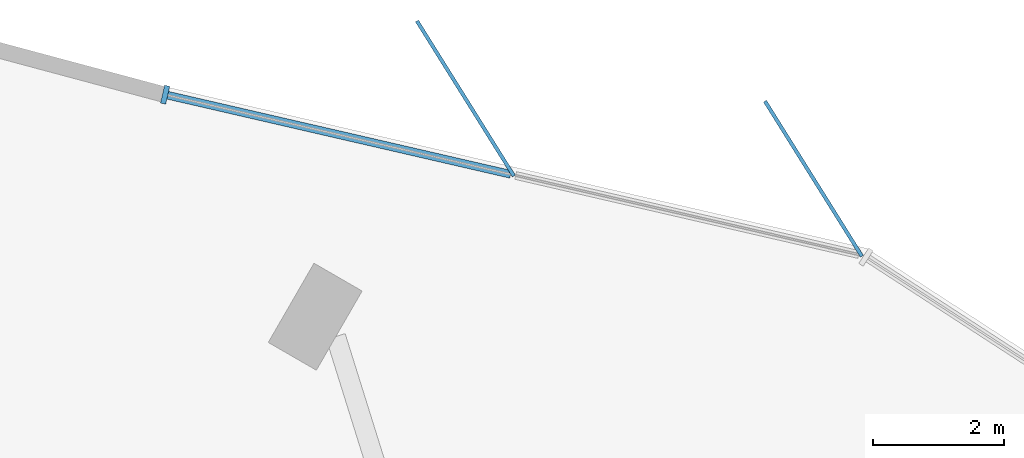
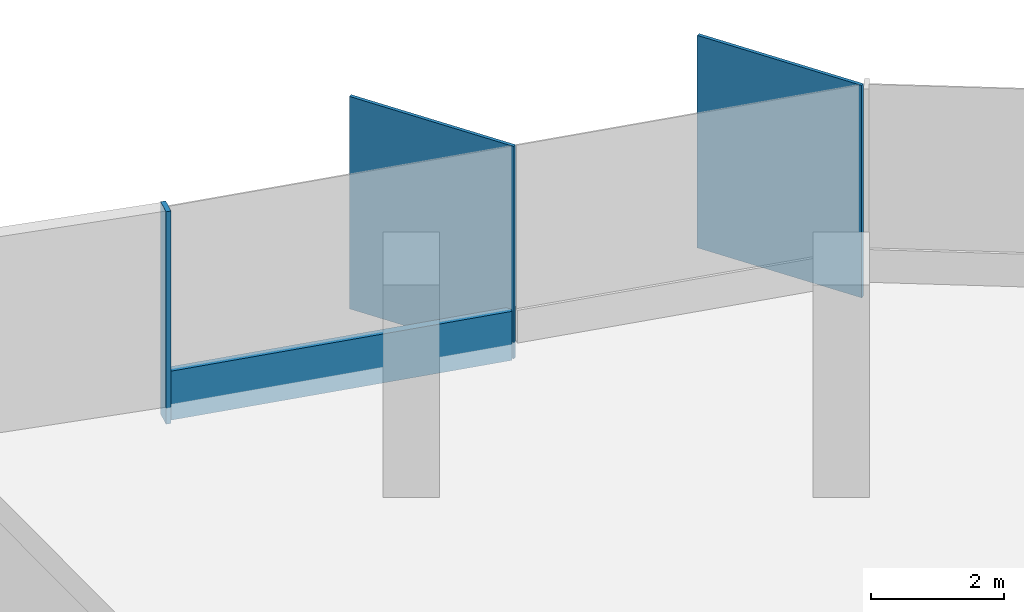
# One storey, part 6 of 13: 4 members, 1 element without a shape of its own.
"""IFC4 building model written with IfcOpenShell, lengths in metres."""

import ifcopenshell
import ifcopenshell.guid

model = None  # the IFC model being written
_history = None  # IfcOwnerHistory: only IFC2X3 demands one
_inside = {}  # id of a spatial element -> (the spatial element, [elements in it])
_under = {}  # id of a project, library or spatial element -> (it, [spatial elements below it])
_declared = {}  # id of a project -> (the project, [libraries it declares])
_typed = {}  # id of a type object -> (the type object, [elements of that type])
_made_of = {}  # id of a material, layer set ... -> (it, [elements and type objects made of it])


def new_model(schema):
    """Start an empty IFC model of exactly this schema.

    Asked for "IFC4X3", IfcOpenShell would pick the latest addendum, in which some entities
    have other attributes; the version numbers below select the first issue.
    IFC2X3 requires an IfcOwnerHistory on every rooted entity: one is made here for all.
    """
    global model, _history
    if schema == "IFC4X3":
        model = ifcopenshell.file(schema_version=(4, 3, 0, 0))
    else:
        model = ifcopenshell.file(schema=schema)
    _inside.clear()
    _under.clear()
    _declared.clear()
    _typed.clear()
    _made_of.clear()
    _history = None
    if model.schema == "IFC2X3":
        org = make("IfcOrganization", Name="unknown")
        user = make(
            "IfcPersonAndOrganization",
            ThePerson=make("IfcPerson", FamilyName="unknown"),
            TheOrganization=org,
        )
        app = make(
            "IfcApplication",
            ApplicationDeveloper=org,
            Version="unknown",
            ApplicationFullName="unknown",
            ApplicationIdentifier="unknown",
        )
        _history = make(
            "IfcOwnerHistory",
            OwningUser=user,
            OwningApplication=app,
            ChangeAction="ADDED",
            CreationDate=0,
        )
    return model


def make(cls, **values):
    """One entity of the class cls with the attributes given. An attribute that is None is left unset."""
    return model.create_entity(
        cls, **{name: value for name, value in values.items() if value is not None}
    )


def rooted(cls, **values):
    """An entity with a GlobalId (a new one), such as an element, a storey or a relation."""
    return make(cls, GlobalId=ifcopenshell.guid.new(), OwnerHistory=_history, **values)


def si_unit(unit_type, name, prefix=None):
    """IfcSIUnit, for example si_unit("LENGTHUNIT", "METRE", prefix="MILLI")."""
    return make("IfcSIUnit", UnitType=unit_type, Prefix=prefix, Name=name)


def assignment(units):
    """IfcUnitAssignment: the units of a project."""
    return None if units is None else make("IfcUnitAssignment", Units=units)


def point(xyz):
    """IfcCartesianPoint."""
    return None if xyz is None else make("IfcCartesianPoint", Coordinates=xyz)


def direction(xyz):
    """IfcDirection."""
    return None if xyz is None else make("IfcDirection", DirectionRatios=xyz)


def frame(location, z_axis=None, x_axis=None):
    """IfcAxis2Placement3D, a coordinate frame: its origin and axes. An axis left out is left unset."""
    return make(
        "IfcAxis2Placement3D",
        Location=point(location),
        Axis=direction(z_axis),
        RefDirection=direction(x_axis),
    )


def frame_2d(location, x_axis=None):
    """IfcAxis2Placement2D, a coordinate frame in the plane: its origin and x axis."""
    return make(
        "IfcAxis2Placement2D", Location=point(location), RefDirection=direction(x_axis)
    )


def origin():
    """The frame at (0, 0, 0) with its axes left unset."""
    return frame((0.0, 0.0, 0.0))


def origin_2d():
    """The frame at (0, 0) in the plane with its x axis left unset."""
    return frame_2d((0.0, 0.0))


def place(relative_to, where):
    """IfcLocalPlacement: puts the frame where relative to a parent placement (None: the world)."""
    return make(
        "IfcLocalPlacement", PlacementRelTo=relative_to, RelativePlacement=where
    )


def context(
    kind, dimensions, precision=None, world=None, true_north=None, identifier=None
):
    """IfcGeometricRepresentationContext, for example the 3D "Model" context."""
    return make(
        "IfcGeometricRepresentationContext",
        ContextIdentifier=identifier,
        ContextType=kind,
        CoordinateSpaceDimension=dimensions,
        Precision=precision,
        WorldCoordinateSystem=world,
        TrueNorth=true_north,
    )


def subcontext(parent, identifier, kind, view, scale=None):
    """IfcGeometricRepresentationSubContext, for example "Body" below "Model"."""
    return make(
        "IfcGeometricRepresentationSubContext",
        ContextIdentifier=identifier,
        ContextType=kind,
        ParentContext=parent,
        TargetScale=scale,
        TargetView=view,
    )


def project(units=None, contexts=None):
    """IfcProject with its units and contexts."""
    return rooted(
        "IfcProject",
        Name="project",
        RepresentationContexts=contexts,
        UnitsInContext=assignment(units),
    )


def spatial(cls, under=None, at=None, **own):
    """A site, building, storey or space (cls), placed at a placement, below another one or the project."""
    s = rooted(cls, ObjectPlacement=at, **own)
    if under is not None:
        _under.setdefault(under.id(), (under, []))[1].append(s)
    return s


def profile(cls, at=None, kind="AREA", **sizes):
    """A parametric profile (cls). Its sizes go by their IFC names, for example OverallWidth=200.0."""
    return make(cls, ProfileType=kind, Position=at, **sizes)


def rectangle(**sizes):
    """IfcRectangleProfileDef."""
    return profile("IfcRectangleProfileDef", **sizes)


def extrude(swept, where, along, depth):
    """IfcExtrudedAreaSolid: the profile swept, set in the frame where, extruded along a direction by depth."""
    return make(
        "IfcExtrudedAreaSolid",
        SweptArea=swept,
        Position=where,
        ExtrudedDirection=direction(along),
        Depth=depth,
    )


def shape(context_of_items, identifier, shape_type, items):
    """IfcShapeRepresentation: the items that make up one representation, for example the "Body"."""
    return make(
        "IfcShapeRepresentation",
        ContextOfItems=context_of_items,
        RepresentationIdentifier=identifier,
        RepresentationType=shape_type,
        Items=items,
    )


def material(Name=None, Category=None):
    """IfcMaterial."""
    return make("IfcMaterial", Name=Name, Category=Category)


def material_profile(
    of_material, cross_section, Name=None, Category=None, Priority=None
):
    """IfcMaterialProfile: a cross section and its material."""
    return make(
        "IfcMaterialProfile",
        Name=Name,
        Material=of_material,
        Profile=cross_section,
        Priority=Priority,
        Category=Category,
    )


def profile_set(profiles, Name=None, composite=None):
    """IfcMaterialProfileSet."""
    return make(
        "IfcMaterialProfileSet",
        Name=Name,
        MaterialProfiles=profiles,
        CompositeProfile=composite,
    )


def made_of(thing, what):
    """Note that an element or type object is made of a material, layer set ...; save() writes the relation."""
    if what is not None:
        _made_of.setdefault(what.id(), (what, []))[1].append(thing)
    return thing


def type_object(cls, material=None, **own):
    """A type object (cls), such as IfcWallType, which elements share."""
    return made_of(rooted(cls, **own), material)


def element(
    cls,
    number,
    at=None,
    inside=None,
    cuts=None,
    type_object=None,
    material=None,
    context=None,
    identifier="Body",
    shape_type=None,
    held_by="IfcProductDefinitionShape",
    body=None,
    shapes=None,
    **own,
):
    """One element of the class cls, such as IfcWall. Its Tag is "e" and its number.

    at: its placement. inside: the storey or other place that contains it. cuts: it is an
    opening in that element (IfcRelVoidsElement). A single representation is given by context,
    identifier, shape_type and body (its items); several are given by shapes. held_by: the class
    of the entity that holds the representations. save() writes the other relations.
    """
    e = rooted(cls, Tag="e%d" % number, ObjectPlacement=at, **own)
    if body is not None:
        shapes = [shape(context, identifier, shape_type, body)]
    if shapes is not None:
        e.Representation = make(held_by, Representations=shapes)
    if inside is not None:
        _inside.setdefault(inside.id(), (inside, []))[1].append(e)
    if cuts is not None:
        rooted(
            "IfcRelVoidsElement", RelatingBuildingElement=cuts, RelatedOpeningElement=e
        )
    if type_object is not None:
        _typed.setdefault(type_object.id(), (type_object, []))[1].append(e)
    return made_of(e, material)


def aggregate(whole, parts):
    """IfcRelAggregates: a whole, such as a stair, and the parts it consists of."""
    return rooted("IfcRelAggregates", RelatingObject=whole, RelatedObjects=parts)


def save(model, path):
    """Write the relations noted so far, then the file.

    IfcRelAggregates (storeys below a building ...), IfcRelContainedInSpatialStructure (elements
    in a storey), IfcRelDefinesByType, IfcRelAssociatesMaterial and IfcRelDeclares: one each for
    every whole, place, type object, material and project.
    """
    for whole, parts in _under.values():
        aggregate(whole, parts)
    for where, things in _inside.values():
        rooted(
            "IfcRelContainedInSpatialStructure",
            RelatedElements=things,
            RelatingStructure=where,
        )
    for kind, things in _typed.values():
        rooted("IfcRelDefinesByType", RelatedObjects=things, RelatingType=kind)
    for what, things in _made_of.values():
        rooted("IfcRelAssociatesMaterial", RelatedObjects=things, RelatingMaterial=what)
    for by, libraries in _declared.values():
        rooted("IfcRelDeclares", RelatingContext=by, RelatedDefinitions=libraries)
    model.write(path)


model = new_model("IFC4")

# Units and contexts
model_context = context("Model", 3, precision=1e-05, world=origin(), true_north=direction((0.0, 1.0)))
body_context = subcontext(model_context, "Body", "Model", "MODEL_VIEW")
ifc_project = project(units=[si_unit("LENGTHUNIT", "METRE"), si_unit("AREAUNIT", "SQUARE_METRE"), si_unit("VOLUMEUNIT", "CUBIC_METRE"), si_unit("PLANEANGLEUNIT", "RADIAN"), si_unit("MASSUNIT", "GRAM", prefix="KILO")], contexts=[model_context])

# Site, building, storey
site_placement = place(None, origin())
site = spatial("IfcSite", under=ifc_project, at=site_placement, CompositionType="ELEMENT")
building_placement = place(site_placement, origin())
building = spatial("IfcBuilding", under=site, at=building_placement, Name="Tanit Gate Tower", CompositionType="ELEMENT")
storey_placement = place(building_placement, frame((0.0, 0.0, 310.39990234375)))
storey = spatial("IfcBuildingStorey", under=building, at=storey_placement, Name="L69", CompositionType="ELEMENT", Elevation=310.39990234375)

# Curtain wall, members
ifc_material_1 = material(Name="Aluminium bronze anodised and glass", Category="aluminium")
curtain_wall_type = type_object("IfcCurtainWallType", Name="Curtain wall typical high", PredefinedType="NOTDEFINED", material=ifc_material_1)
curtain_wall_placement = place(storey_placement, origin())
curtain_wall = element("IfcCurtainWall", 1, at=curtain_wall_placement, inside=storey, type_object=curtain_wall_type, Name="Curtain wall L69 NE3", PredefinedType="NOTDEFINED")
ifc_material_2 = material(Name="Aluminium bronze anodised", Category="aluminium")
ifc_material_profile_1 = material_profile(ifc_material_2, rectangle(XDim=2.800048828125, YDim=0.055908203125, at=origin_2d()), Name="56x2800 bronze fin mullion")
ifc_profile_set_1 = profile_set([ifc_material_profile_1], Name="Aluminium bronze anodised")
member_type_1 = type_object("IfcMemberType", Name="FIN MULLION 56x2800 bronze", PredefinedType="MULLION", material=ifc_profile_set_1)
member_1_placement = place(storey_placement, frame((-1.688232421875, 31.22216796875, -0.2998046875), z_axis=(0.0, 0.0, 1.0), x_axis=(0.530209551206, -0.847866635628, 0.0)))
member_1 = element("IfcMember", 2, at=member_1_placement, type_object=member_type_1, Name="Fin mullion L69 NE3.1", PredefinedType="MULLION", context=body_context, shape_type="SweptSolid", body=[
    extrude(rectangle(XDim=2.800048828125, YDim=0.055908203125, at=origin_2d()), origin(), (0.0, 0.0, 1.0), 3.89990234375),
])
member_2_placement = place(storey_placement, frame((-7.017578125, 32.45068359375, -0.2998046875), z_axis=(0.0, 0.0, 1.0), x_axis=(0.530209551206, -0.847866635628, 0.0)))
member_2 = element("IfcMember", 3, at=member_2_placement, type_object=member_type_1, Name="Fin mullion L69 NE3.2", PredefinedType="MULLION", context=body_context, shape_type="SweptSolid", body=[
    extrude(rectangle(XDim=2.800048828125, YDim=0.055908203125, at=origin_2d()), origin(), (0.0, 0.0, 1.0), 3.89990234375),
])
ifc_material_3 = material(Name="Aluminium bronze anodised", Category="aluminium")
ifc_material_profile_2 = material_profile(ifc_material_3, rectangle(XDim=0.280029296875, YDim=0.080078125, at=origin_2d()), Name="80x280 bronze mullion")
ifc_profile_set_2 = profile_set([ifc_material_profile_2], Name="Aluminium bronze anodised")
member_type_2 = type_object("IfcMemberType", Name="Mullion 80x280 typical high", PredefinedType="MULLION", material=ifc_profile_set_2)
member_3_placement = place(storey_placement, frame((-11.615234375, 32.5087890625, -0.2998046875), z_axis=(0.0, 0.0, 1.0), x_axis=(-0.224617478487, -0.974447016701, 0.0)))
member_3 = element("IfcMember", 4, at=member_3_placement, type_object=member_type_2, Name="Mullion L69 NE3.3", PredefinedType="MULLION", context=body_context, shape_type="SweptSolid", body=[
    extrude(rectangle(XDim=0.280029296875, YDim=0.080078125, at=origin_2d()), origin(), (0.0, 0.0, 1.0), 3.89990234375),
])
ifc_material_4 = material(Name="Aluminium bronze anodised", Category="aluminium")
ifc_material_profile_3 = material_profile(ifc_material_4, rectangle(XDim=0.1201171875, YDim=0.89990234375, at=origin_2d()), Name="120x900 bronze transom")
ifc_profile_set_3 = profile_set([ifc_material_profile_3], Name="Aluminium bronze anodised")
member_type_3 = type_object("IfcMemberType", Name="Transom 120x900 typical high", PredefinedType="USERDEFINED", material=ifc_profile_set_3)
member_4_placement = place(storey_placement, frame((-6.324951171875, 31.289306640625, 0.150146484375), z_axis=(-0.974436988188, 0.22466098026, 0.0), x_axis=(-0.22466098026, -0.974436988188, 0.0)))
member_4 = element("IfcMember", 5, at=member_4_placement, type_object=member_type_3, Name="Transom L69 NE3.2", ObjectType="TRANSOM", PredefinedType="USERDEFINED", context=body_context, shape_type="SweptSolid", body=[
    extrude(rectangle(XDim=0.1201171875, YDim=0.89990234375, at=origin_2d()), origin(), (0.0, 0.0, 1.0), 5.388916015625),
])
aggregate(curtain_wall, [member_1, member_2, member_3, member_4])

save(model, "model.ifc")
